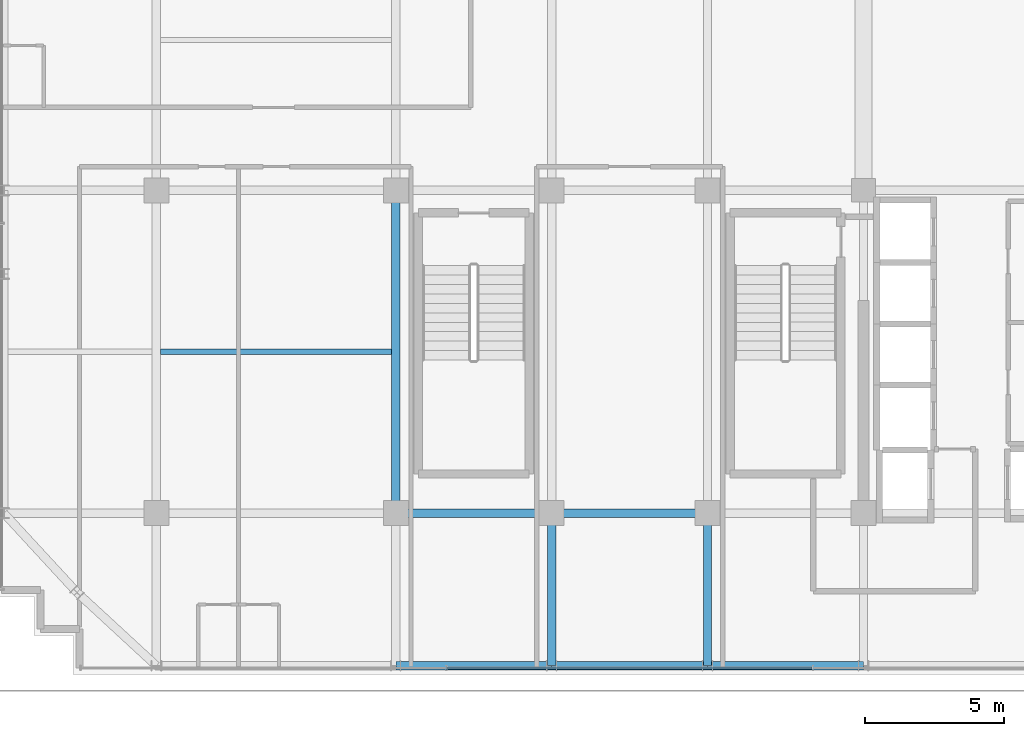
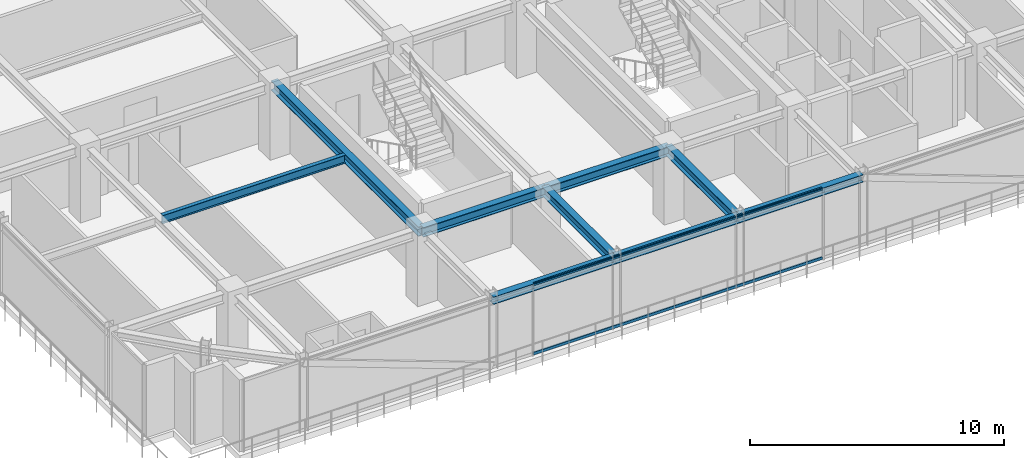
# One storey, part 7 of 32: 9 beams, 2 members, 1 element without a shape of its own.
"""IFC4 building model written with IfcOpenShell, lengths in metres."""

from ifc_helpers import new_model, si_unit, direction, frame, origin, origin_2d, place, context, subcontext, project, spatial, hollow_rectangle, i_section, extrude, source, transform, mapped, material, material_profile, profile_set, type_object, element, aggregate, save


model = new_model("IFC4")

# Units and contexts
model_context = context("Model", 3, precision=1e-05, world=origin(), true_north=direction((0.0, 1.0)))
body_context = subcontext(model_context, "Body", "Model", "MODEL_VIEW")
ifc_project = project(units=[si_unit("LENGTHUNIT", "METRE"), si_unit("AREAUNIT", "SQUARE_METRE"), si_unit("VOLUMEUNIT", "CUBIC_METRE"), si_unit("PLANEANGLEUNIT", "RADIAN"), si_unit("MASSUNIT", "GRAM", prefix="KILO")], contexts=[model_context])

# Site, building, storey
site_placement = place(None, origin())
site = spatial("IfcSite", under=ifc_project, at=site_placement, CompositionType="ELEMENT")
building_placement = place(site_placement, origin())
building = spatial("IfcBuilding", under=site, at=building_placement, Name="Nahalor Promenade Grand Hotel", CompositionType="ELEMENT")
storey_placement = place(building_placement, frame((0.0, 0.0, 266.300048828125)))
storey = spatial("IfcBuildingStorey", under=building, at=storey_placement, Name="L68", CompositionType="ELEMENT", Elevation=266.300048828125)

# Beams
ifc_material_1 = material(Name="Steel S355JR", Category="steel")
ifc_material_profile_1 = material_profile(ifc_material_1, i_section(OverallWidth=0.3, OverallDepth=0.45, WebThickness=0.014, FlangeThickness=0.026, at=origin_2d()), Name="HEB 450")
ifc_profile_set_1 = profile_set([ifc_material_profile_1], Name="Steel S355JR")
beam_type_1 = type_object("IfcBeamType", Name="Beam-Girder-HEB450", PredefinedType="BEAM", material=ifc_profile_set_1)
shared_shape_1 = source(origin(), body_context, "Body", "SweptSolid", [
    extrude(i_section(OverallWidth=0.3, OverallDepth=0.45, WebThickness=0.014, FlangeThickness=0.026, at=origin_2d()), origin(), (0.0, 0.0, 1.0), 5.599853515625),
])
beam_1_placement = place(storey_placement, frame((-8.39990234375, -17.0, 3.224853515625), z_axis=(1.0, 0.0, 0.0), x_axis=(0.0, 1.0, 0.0)))
element("IfcBeam", 1, at=beam_1_placement, inside=storey, type_object=beam_type_1, Name="BM-L68-GX-0-2", PredefinedType="BEAM", context=body_context, shape_type="MappedRepresentation", body=[
    mapped(shared_shape_1, transform((0.0, 0.0, 0.0), scale=1.0)),
])
shared_shape_2 = source(origin(), body_context, "Body", "SweptSolid", [
    extrude(i_section(OverallWidth=0.3, OverallDepth=0.45, WebThickness=0.014, FlangeThickness=0.026, at=origin_2d()), origin(), (0.0, 0.0, 1.0), 5.60009765625),
])
beam_2_placement = place(storey_placement, frame((-2.800048828125, -17.0, 3.224853515625), z_axis=(1.0, 0.0, 0.0), x_axis=(0.0, 1.0, 0.0)))
element("IfcBeam", 2, at=beam_2_placement, inside=storey, type_object=beam_type_1, Name="BM-L68-GX-0-3", PredefinedType="BEAM", context=body_context, shape_type="MappedRepresentation", body=[
    mapped(shared_shape_2, transform((0.0, 0.0, 0.0), scale=1.0)),
])
shared_shape_3 = source(origin(), body_context, "Body", "SweptSolid", [
    extrude(i_section(OverallWidth=0.3, OverallDepth=0.45, WebThickness=0.014, FlangeThickness=0.026, at=origin_2d()), origin(), (0.0, 0.0, 1.0), 11.60009765625),
])
beam_3_placement = place(storey_placement, frame((-8.39990234375, -17.0, 3.224853515625), z_axis=(0.0, 1.0, 0.0), x_axis=(-1.0, 0.0, 0.0)))
element("IfcBeam", 3, at=beam_3_placement, inside=storey, type_object=beam_type_1, Name="BM-L68-GY-1-1", PredefinedType="BEAM", context=body_context, shape_type="MappedRepresentation", body=[
    mapped(shared_shape_3, transform((0.0, 0.0, 0.0), scale=1.0)),
])
ifc_material_profile_2 = material_profile(ifc_material_1, i_section(OverallWidth=0.18, OverallDepth=0.4, WebThickness=0.0086, FlangeThickness=0.0135, at=origin_2d()), Name="IPE 400")
ifc_profile_set_2 = profile_set([ifc_material_profile_2], Name="Steel S355JR")
beam_type_2 = type_object("IfcBeamType", Name="Beam-Joist-IPE400", PredefinedType="JOIST", material=ifc_profile_set_2)
shared_shape_4 = source(origin(), body_context, "Body", "SweptSolid", [
    extrude(i_section(OverallWidth=0.18, OverallDepth=0.4, WebThickness=0.0086, FlangeThickness=0.0135, at=origin_2d()), origin(), (0.0, 0.0, 1.0), 8.300048828125),
])
beam_4_placement = place(storey_placement, frame((-16.85009765625, -11.199951171875, 3.25), z_axis=(1.0, 0.0, 0.0), x_axis=(0.0, 1.0, 0.0)))
element("IfcBeam", 4, at=beam_4_placement, inside=storey, type_object=beam_type_2, Name="BM-L68-JSW-0-1", PredefinedType="JOIST", context=body_context, shape_type="MappedRepresentation", body=[
    mapped(shared_shape_4, transform((0.0, 0.0, 0.0), scale=1.0)),
])
shared_shape_5 = source(origin(), body_context, "Body", "SweptSolid", [
    extrude(i_section(OverallWidth=0.3, OverallDepth=0.45, WebThickness=0.014, FlangeThickness=0.026, at=origin_2d()), origin(), (0.0, 0.0, 1.0), 5.47998046875),
])
for number, where, z_axis, x_axis, name in (
    (5, (-2.800048828125, -22.47998046875, 3.224853515625), (0.0, 1.0, 0.0), (-1.0, 0.0, 0.0), "BM-L68-GY-2-0"),
    (6, (2.800048828125, -22.47998046875, 3.224853515625), (0.0, 1.0, 0.0), (-1.0, 0.0, 0.0), "BM-L68-GY-3-0"),
):
    element("IfcBeam", number, at=place(storey_placement, frame(where, z_axis=z_axis, x_axis=x_axis)), inside=storey, type_object=beam_type_1, Name=name, PredefinedType="BEAM", context=body_context, shape_type="MappedRepresentation", body=[
        mapped(shared_shape_5, transform((0.0, 0.0, 0.0), scale=1.0)),
    ])
ifc_material_profile_3 = material_profile(ifc_material_1, i_section(OverallWidth=0.3, OverallDepth=0.36, WebThickness=0.0125, FlangeThickness=0.0225, at=origin_2d()), Name="HEB 360")
ifc_profile_set_3 = profile_set([ifc_material_profile_3], Name="Steel S355JR")
beam_type_3 = type_object("IfcBeamType", Name="Beam-Spandrel-HEB360", PredefinedType="SPANDREL", material=ifc_profile_set_3)
shared_shape_6 = source(origin(), body_context, "Body", "SweptSolid", [
    extrude(i_section(OverallWidth=0.3, OverallDepth=0.36, WebThickness=0.0125, FlangeThickness=0.0225, at=origin_2d()), origin(), (0.0, 0.0, 1.0), 5.599853515625),
])
for number, where, z_axis, x_axis, name in (
    (7, (-8.39990234375, -22.47998046875, 3.27001953125), (1.0, 0.0, 0.0), (0.0, 1.0, 0.0), "BM-L68-SP-S-1"),
    (8, (2.800048828125, -22.47998046875, 3.27001953125), (1.0, 0.0, 0.0), (0.0, 1.0, 0.0), "BM-L68-SP-S-3"),
):
    element("IfcBeam", number, at=place(storey_placement, frame(where, z_axis=z_axis, x_axis=x_axis)), inside=storey, type_object=beam_type_3, Name=name, PredefinedType="SPANDREL", context=body_context, shape_type="MappedRepresentation", body=[
        mapped(shared_shape_6, transform((0.0, 0.0, 0.0), scale=1.0)),
    ])
shared_shape_7 = source(origin(), body_context, "Body", "SweptSolid", [
    extrude(i_section(OverallWidth=0.3, OverallDepth=0.36, WebThickness=0.0125, FlangeThickness=0.0225, at=origin_2d()), origin(), (0.0, 0.0, 1.0), 5.60009765625),
])
beam_5_placement = place(storey_placement, frame((-2.800048828125, -22.47998046875, 3.27001953125), z_axis=(1.0, 0.0, 0.0), x_axis=(0.0, 1.0, 0.0)))
element("IfcBeam", 9, at=beam_5_placement, inside=storey, type_object=beam_type_3, Name="BM-L68-SP-S-2", PredefinedType="SPANDREL", context=body_context, shape_type="MappedRepresentation", body=[
    mapped(shared_shape_7, transform((0.0, 0.0, 0.0), scale=1.0)),
])

# Curtain wall, members
ifc_material_2 = material(Name="Anodised Bronze Aluminium EN AW-6063 T6", Category="aluminium")
curtain_wall_type = type_object("IfcCurtainWallType", Name="CW2 Typical Hotel Flush Bronze Unitised Curtain Wall", PredefinedType="USERDEFINED", material=ifc_material_2)
curtain_wall_placement = place(storey_placement, origin())
curtain_wall = element("IfcCurtainWall", 10, at=curtain_wall_placement, inside=storey, type_object=curtain_wall_type, Name="L68 Curtain Wall CW-L68-S-1", ObjectType="UNITISED_CURTAIN_WALL", PredefinedType="USERDEFINED")
ifc_material_profile_4 = material_profile(ifc_material_2, hollow_rectangle(XDim=0.065, YDim=0.13, WallThickness=0.004, at=origin_2d()), Name="CWT 65x130x4")
ifc_profile_set_4 = profile_set([ifc_material_profile_4], Name="Anodised Bronze Aluminium EN AW-6063 T6")
member_type = type_object("IfcMemberType", Name="CWT2 Typical Bronze Transom 65x130", PredefinedType="USERDEFINED", material=ifc_profile_set_4)
shared_shape_8 = source(origin(), body_context, "Body", "SweptSolid", [
    extrude(hollow_rectangle(XDim=0.065, YDim=0.13, WallThickness=0.004, at=origin_2d()), origin(), (0.0, 0.0, 1.0), 13.1083984375),
])
member_1_placement = place(storey_placement, frame((-6.55419921875, -22.56005859375, 0.06494140625), z_axis=(1.0, 0.0, 0.0), x_axis=(0.0, 1.0, 0.0)))
member_1 = element("IfcMember", 11, at=member_1_placement, type_object=member_type, Name="CW-L68-S-1 Transom 1-0", ObjectType="TRANSOM", PredefinedType="USERDEFINED", context=body_context, shape_type="MappedRepresentation", body=[
    mapped(shared_shape_8, transform((0.0, 0.0, 0.0), scale=1.0)),
])
member_2_placement = place(storey_placement, frame((-6.55419921875, -22.56005859375, 3.385009765625), z_axis=(1.0, 0.0, 0.0), x_axis=(0.0, 1.0, 0.0)))
member_2 = element("IfcMember", 12, at=member_2_placement, type_object=member_type, Name="CW-L68-S-1 Transom 1-1", ObjectType="TRANSOM", PredefinedType="USERDEFINED", context=body_context, shape_type="MappedRepresentation", body=[
    mapped(shared_shape_8, transform((0.0, 0.0, 0.0), scale=1.0)),
])
aggregate(curtain_wall, [member_1, member_2])

save(model, "model.ifc")
